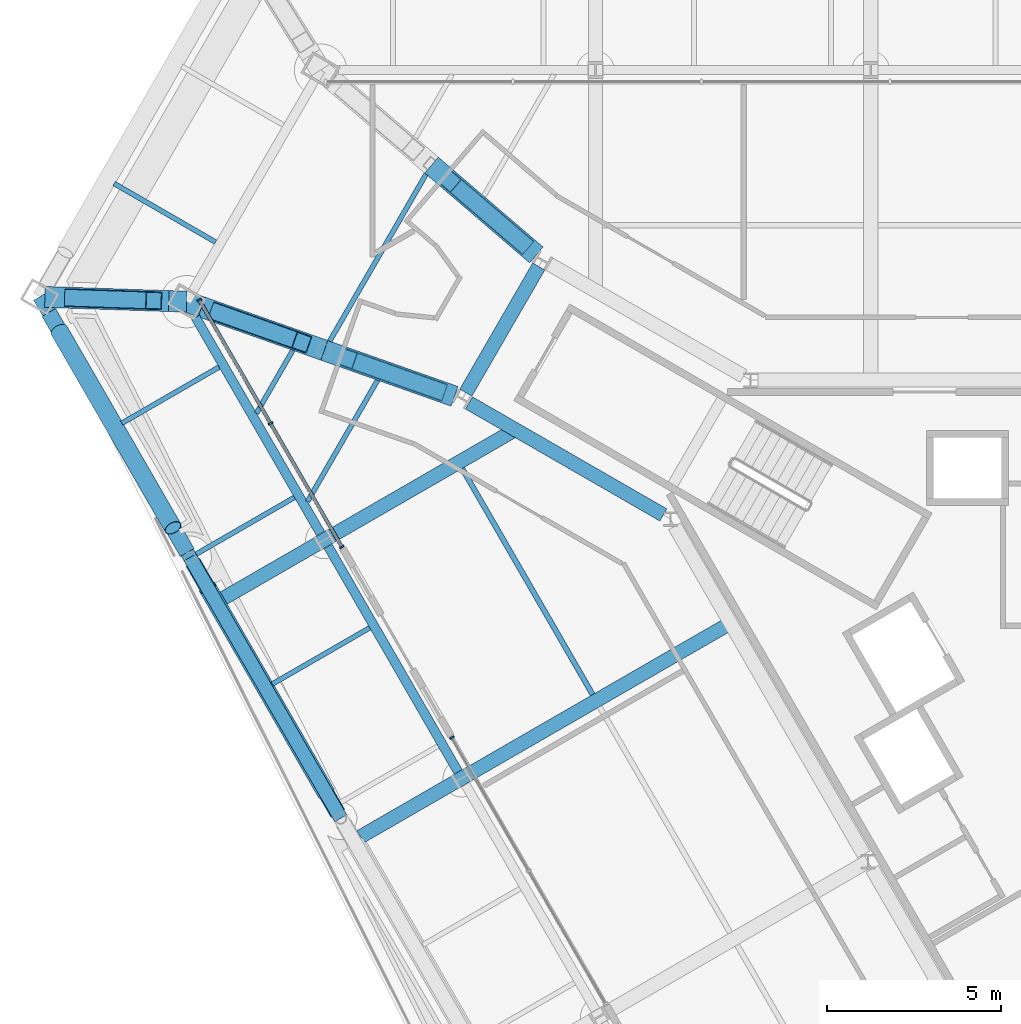
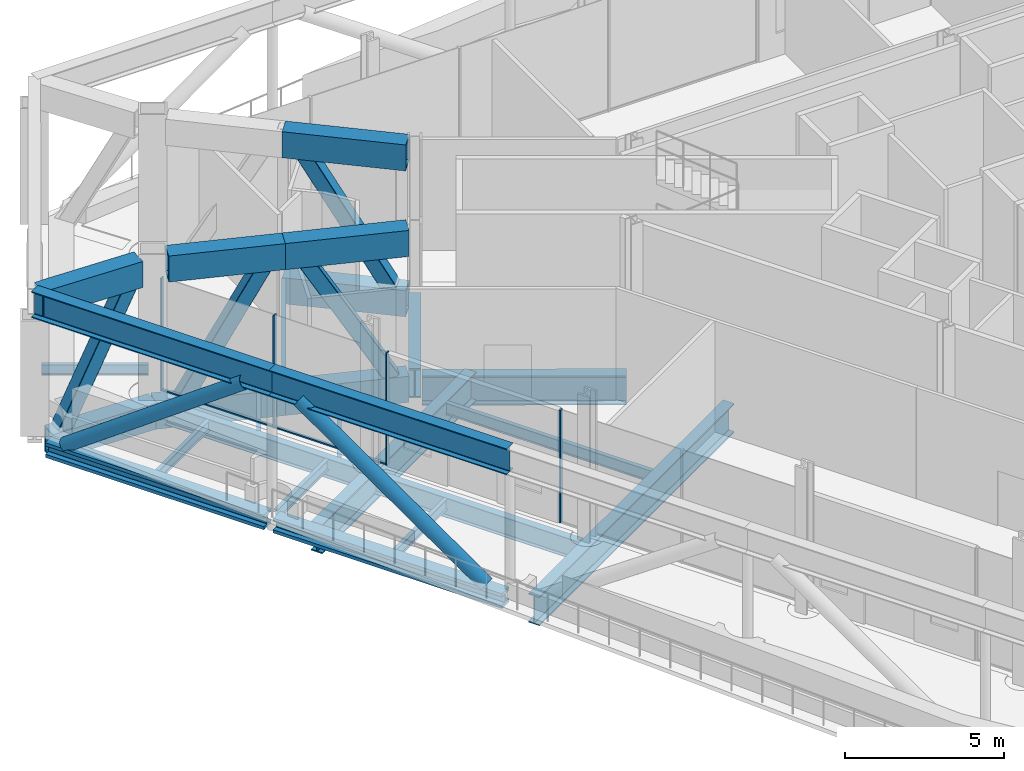
# One storey, part 10 of 26: 26 beams, 12 members, 2 elements without a shape of their own.
"""IFC4 building model written with IfcOpenShell, lengths in metres."""

from ifc_helpers import new_model, si_unit, direction, frame, origin, origin_2d, place, context, subcontext, project, spatial, rectangle, hollow_rectangle, hollow_circle, i_section, extrude, material, material_profile, profile_set, type_object, element, aggregate, save


model = new_model("IFC4")

# Units and contexts
model_context = context("Model", 3, precision=1e-05, world=origin(), true_north=direction((0.0, 1.0)))
body_context = subcontext(model_context, "Body", "Model", "MODEL_VIEW")
ifc_project = project(units=[si_unit("LENGTHUNIT", "METRE"), si_unit("AREAUNIT", "SQUARE_METRE"), si_unit("VOLUMEUNIT", "CUBIC_METRE"), si_unit("PLANEANGLEUNIT", "RADIAN"), si_unit("MASSUNIT", "GRAM", prefix="KILO")], contexts=[model_context])

# Site, building, storey
site_placement = place(None, origin())
site = spatial("IfcSite", under=ifc_project, at=site_placement, CompositionType="ELEMENT")
building_placement = place(site_placement, origin())
building = spatial("IfcBuilding", under=site, at=building_placement, Name="Verrane Prism Tower", CompositionType="ELEMENT")
storey_placement = place(building_placement, frame((0.0, 0.0, 87.199951171875)))
storey = spatial("IfcBuildingStorey", under=building, at=storey_placement, Name="L20", CompositionType="ELEMENT", Elevation=87.199951171875)

# Beams
ifc_material_1 = material(Name="Steel A992", Category="steel")
ifc_material_profile_1 = material_profile(ifc_material_1, i_section(OverallWidth=0.45458984375, OverallDepth=0.56884765625, WebThickness=0.077880859375, FlangeThickness=0.124755859375, FilletRadius=0.01513671875, at=origin_2d()), Name="W14x730")
ifc_profile_set_1 = profile_set([ifc_material_profile_1], Name="Steel A992")
beam_type_1 = type_object("IfcBeamType", Name="Belt truss chord W14x730", PredefinedType="BEAM", material=ifc_profile_set_1)
beam_1_placement = place(storey_placement, frame((-31.4501953125, 11.139892578125, -0.445556640625), z_axis=(0.499746404185, -0.866171767898, 0.0), x_axis=(0.866171767898, 0.499746404185, 0.0)))
element("IfcBeam", 1, at=beam_1_placement, inside=storey, type_object=beam_type_1, Name="Belt truss chord L20", PredefinedType="BEAM", context=body_context, shape_type="SweptSolid", body=[
    extrude(i_section(OverallWidth=0.45458984375, OverallDepth=0.56884765625, WebThickness=0.077880859375, FlangeThickness=0.124755859375, FilletRadius=0.01513671875, at=origin_2d()), origin(), (0.0, 0.0, 1.0), 7.94189453125),
])
beam_2_placement = place(storey_placement, frame((-27.318603515625, 3.979248046875, -0.445556640625), z_axis=(0.500106328585, -0.865964006244, 0.0), x_axis=(0.865964006244, 0.500106328585, 0.0)))
element("IfcBeam", 2, at=beam_2_placement, inside=storey, type_object=beam_type_1, Name="Belt truss chord L20", PredefinedType="BEAM", context=body_context, shape_type="SweptSolid", body=[
    extrude(i_section(OverallWidth=0.45458984375, OverallDepth=0.56884765625, WebThickness=0.077880859375, FlangeThickness=0.124755859375, FilletRadius=0.01513671875, at=origin_2d()), origin(), (0.0, 0.0, 1.0), 8.312744140625),
])
ifc_material_2 = material(Name="Steel A992", Category="steel")
ifc_material_profile_2 = material_profile(ifc_material_2, i_section(OverallWidth=0.4013671875, OverallDepth=1.000732421875, WebThickness=0.01904296875, FlangeThickness=0.0361328125, FilletRadius=0.030029296875, at=origin_2d()), Name="W40x249")
ifc_profile_set_2 = profile_set([ifc_material_profile_2], Name="Steel A992")
beam_type_2 = type_object("IfcBeamType", Name="Belt truss chord W40x249", PredefinedType="BEAM", material=ifc_profile_set_2)
beam_3_placement = place(storey_placement, frame((-31.7099609375, 11.590087890625, 4.939697265625), z_axis=(0.499762481073, -0.866162491979, 0.0), x_axis=(0.866162491979, 0.499762481073, 0.0)))
element("IfcBeam", 3, at=beam_3_placement, inside=storey, type_object=beam_type_2, Name="Belt truss chord L20", PredefinedType="BEAM", context=body_context, shape_type="SweptSolid", body=[
    extrude(i_section(OverallWidth=0.4013671875, OverallDepth=1.000732421875, WebThickness=0.01904296875, FlangeThickness=0.0361328125, FilletRadius=0.030029296875, at=origin_2d()), origin(), (0.0, 0.0, 1.0), 8.624267578125),
])
beam_4_placement = place(storey_placement, frame((-27.39990234375, 4.1201171875, 4.939697265625), z_axis=(0.500096766669, -0.865969528313, 0.0), x_axis=(0.865969528313, 0.500096766669, 0.0)))
element("IfcBeam", 4, at=beam_4_placement, inside=storey, type_object=beam_type_2, Name="Belt truss chord L20", PredefinedType="BEAM", context=body_context, shape_type="SweptSolid", body=[
    extrude(i_section(OverallWidth=0.4013671875, OverallDepth=1.000732421875, WebThickness=0.01904296875, FlangeThickness=0.0361328125, FilletRadius=0.030029296875, at=origin_2d()), origin(), (0.0, 0.0, 1.0), 8.637939453125),
])

# Members
ifc_material_3 = material(Name="Steel A500 Grade C", Category="steel")
ifc_material_profile_3 = material_profile(ifc_material_3, hollow_circle(Radius=0.25390625, WallThickness=0.0126953125, at=origin_2d()), Name="HSS20.000x0.500")
ifc_profile_set_3 = profile_set([ifc_material_profile_3], Name="Steel A500 Grade C")
member_type_1 = type_object("IfcMemberType", Name="Belt truss diagonal HSS20.000x0.500", PredefinedType="BRACE", material=ifc_profile_set_3)
member_1_placement = place(storey_placement, frame((-31.151123046875, 10.621337890625, -0.160888671875), z_axis=(0.405277647184, -0.70243475166, 0.585094392687), x_axis=(0.866171265767, 0.499747274489, 0.0)))
element("IfcMember", 5, at=member_1_placement, inside=storey, type_object=member_type_1, Name="Belt truss diagonal L20", PredefinedType="BRACE", context=body_context, shape_type="SweptSolid", body=[
    extrude(hollow_circle(Radius=0.25390625, WallThickness=0.0126953125, at=origin_2d()), origin(), (0.0, 0.0, 1.0), 8.0498046875),
])
member_2_placement = place(storey_placement, frame((-23.50341796875, -2.626708984375, -0.160888671875), z_axis=(-0.410981497335, 0.711574303838, 0.569873862329), x_axis=(-0.865944304384, -0.500140441981, 0.0)))
element("IfcMember", 6, at=member_2_placement, inside=storey, type_object=member_type_1, Name="Belt truss diagonal L20", PredefinedType="BRACE", context=body_context, shape_type="SweptSolid", body=[
    extrude(hollow_circle(Radius=0.25390625, WallThickness=0.0126953125, at=origin_2d()), origin(), (0.0, 0.0, 1.0), 8.264892578125),
])

# Beams
ifc_material_4 = material(Name="Steel A992", Category="steel")
ifc_material_profile_4 = material_profile(ifc_material_4, i_section(OverallWidth=0.140380859375, OverallDepth=0.40380859375, WebThickness=0.007080078125, FlangeThickness=0.01123046875, FilletRadius=0.01025390625, at=origin_2d()), Name="W16x31")
ifc_profile_set_4 = profile_set([ifc_material_profile_4], Name="Steel A992")
beam_type_3 = type_object("IfcBeamType", Name="Floor beam W16x31", PredefinedType="BEAM", material=ifc_profile_set_4)
beam_5_placement = place(storey_placement, frame((-25.041259765625, 0.49072265625, -0.36181640625), z_axis=(0.866024054344, 0.500002337291, 0.0), x_axis=(-0.500002337291, 0.866024054344, 0.0)))
element("IfcBeam", 7, at=beam_5_placement, inside=storey, type_object=beam_type_3, Name="Floor beam L20", PredefinedType="BEAM", context=body_context, shape_type="SweptSolid", body=[
    extrude(i_section(OverallWidth=0.140380859375, OverallDepth=0.40380859375, WebThickness=0.007080078125, FlangeThickness=0.01123046875, FilletRadius=0.01025390625, at=origin_2d()), origin(), (0.0, 0.0, 1.0), 3.2216796875),
])
beam_6_placement = place(storey_placement, frame((-27.222900390625, 4.21435546875, -0.36181640625), z_axis=(0.866024162539, 0.500002149894, 0.0), x_axis=(-0.500002149894, 0.866024162539, 0.0)))
element("IfcBeam", 8, at=beam_6_placement, inside=storey, type_object=beam_type_3, Name="Floor beam L20", PredefinedType="BEAM", context=body_context, shape_type="SweptSolid", body=[
    extrude(i_section(OverallWidth=0.140380859375, OverallDepth=0.40380859375, WebThickness=0.007080078125, FlangeThickness=0.01123046875, FilletRadius=0.01025390625, at=origin_2d()), origin(), (0.0, 0.0, 1.0), 3.2490234375),
])
beam_7_placement = place(storey_placement, frame((-29.356201171875, 7.9658203125, -0.36181640625), z_axis=(0.866021328928, 0.500007057792, 0.0), x_axis=(-0.500007057792, 0.866021328928, 0.0)))
element("IfcBeam", 9, at=beam_7_placement, inside=storey, type_object=beam_type_3, Name="Floor beam L20", PredefinedType="BEAM", context=body_context, shape_type="SweptSolid", body=[
    extrude(i_section(OverallWidth=0.140380859375, OverallDepth=0.40380859375, WebThickness=0.007080078125, FlangeThickness=0.01123046875, FilletRadius=0.01025390625, at=origin_2d()), origin(), (0.0, 0.0, 1.0), 3.2177734375),
])
beam_8_placement = place(storey_placement, frame((-24.0322265625, 5.720703125, -0.36181640625), z_axis=(0.499990884667, 0.866030666461, 0.0), x_axis=(-0.866030666461, 0.499990884667, 0.0)))
element("IfcBeam", 10, at=beam_8_placement, inside=storey, type_object=beam_type_3, Name="Floor beam L20", PredefinedType="BEAM", context=body_context, shape_type="SweptSolid", body=[
    extrude(i_section(OverallWidth=0.140380859375, OverallDepth=0.40380859375, WebThickness=0.007080078125, FlangeThickness=0.01123046875, FilletRadius=0.01025390625, at=origin_2d()), origin(), (0.0, 0.0, 1.0), 4.01513671875),
])
beam_9_placement = place(storey_placement, frame((-25.49658203125, 8.25244140625, -0.36181640625), z_axis=(0.500084280142, 0.865976739154, 0.0), x_axis=(-0.865976739154, 0.500084280142, 0.0)))
element("IfcBeam", 11, at=beam_9_placement, inside=storey, type_object=beam_type_3, Name="Floor beam L20", PredefinedType="BEAM", context=body_context, shape_type="SweptSolid", body=[
    extrude(i_section(OverallWidth=0.140380859375, OverallDepth=0.40380859375, WebThickness=0.007080078125, FlangeThickness=0.01123046875, FilletRadius=0.01025390625, at=origin_2d()), origin(), (0.0, 0.0, 1.0), 2.083251953125),
])
beam_10_placement = place(storey_placement, frame((-26.667236328125, 13.15673828125, -0.36181640625), z_axis=(-0.866047615473, 0.499961526254, 0.0), x_axis=(-0.499961526254, -0.866047615473, 0.0)))
element("IfcBeam", 12, at=beam_10_placement, inside=storey, type_object=beam_type_3, Name="Floor beam L20", PredefinedType="BEAM", context=body_context, shape_type="SweptSolid", body=[
    extrude(i_section(OverallWidth=0.140380859375, OverallDepth=0.40380859375, WebThickness=0.007080078125, FlangeThickness=0.01123046875, FilletRadius=0.01025390625, at=origin_2d()), origin(), (0.0, 0.0, 1.0), 3.359130859375),
])
beam_11_placement = place(storey_placement, frame((-23.396484375, 10.319091796875, -0.36181640625), z_axis=(0.499999210213, 0.866025859768, 0.0), x_axis=(-0.866025859768, 0.499999210213, 0.0)))
element("IfcBeam", 13, at=beam_11_placement, inside=storey, type_object=beam_type_3, Name="Floor beam L20", PredefinedType="BEAM", context=body_context, shape_type="SweptSolid", body=[
    extrude(i_section(OverallWidth=0.140380859375, OverallDepth=0.40380859375, WebThickness=0.007080078125, FlangeThickness=0.01123046875, FilletRadius=0.01025390625, at=origin_2d()), origin(), (0.0, 0.0, 1.0), 5.5234375),
])
ifc_material_5 = material(Name="Steel A992", Category="steel")
ifc_material_profile_5 = material_profile(ifc_material_5, i_section(OverallWidth=0.15234375, OverallDepth=0.449462890625, WebThickness=0.007568359375, FlangeThickness=0.0107421875, FilletRadius=0.01025390625, at=origin_2d()), Name="W18x35")
ifc_profile_set_5 = profile_set([ifc_material_profile_5], Name="Steel A992")
beam_type_4 = type_object("IfcBeamType", Name="Floor beam W18x35", PredefinedType="BEAM", material=ifc_profile_set_5)
beam_12_placement = place(storey_placement, frame((-15.86083984375, 0.18994140625, -0.384765625), z_axis=(-0.499988150718, 0.866032244863, 0.0), x_axis=(-0.866032244863, -0.499988150718, 0.0)))
element("IfcBeam", 14, at=beam_12_placement, inside=storey, type_object=beam_type_4, Name="Floor beam L20", PredefinedType="BEAM", context=body_context, shape_type="SweptSolid", body=[
    extrude(i_section(OverallWidth=0.15234375, OverallDepth=0.449462890625, WebThickness=0.007568359375, FlangeThickness=0.0107421875, FilletRadius=0.01025390625, at=origin_2d()), origin(), (0.0, 0.0, 1.0), 7.476806640625),
])

# Curtain wall, members
ifc_material_6 = material(Name="Aluminium framed insulated glazing", Category="aluminium")
curtain_wall_type = type_object("IfcCurtainWallType", Name="Curtain wall CW-C 4200 module", PredefinedType="NOTDEFINED", material=ifc_material_6)
curtain_wall_1_placement = place(storey_placement, origin())
curtain_wall_1 = element("IfcCurtainWall", 15, at=curtain_wall_1_placement, inside=storey, type_object=curtain_wall_type, Name="Refuge lounge glazing south-west face L20 1", PredefinedType="NOTDEFINED")
ifc_material_7 = material(Name="Aluminium alloy 6063-T6", Category="aluminium")
ifc_material_profile_6 = material_profile(ifc_material_7, rectangle(XDim=0.139892578125, YDim=0.050048828125, at=origin_2d()), Name="Mullion 50x140 aluminium")
ifc_profile_set_6 = profile_set([ifc_material_profile_6], Name="Aluminium alloy 6063-T6")
member_type_2 = type_object("IfcMemberType", Name="Mullion 50x140 aluminium", PredefinedType="MULLION", material=ifc_profile_set_6)
member_3_placement = place(storey_placement, frame((-27.137939453125, 11.502197265625, 0.0), z_axis=(0.0, 0.0, 1.0), x_axis=(0.866024267119, 0.500001968757, 0.0)))
member_3 = element("IfcMember", 16, at=member_3_placement, type_object=member_type_2, Name="CW20.4.1 mullion 1", PredefinedType="MULLION", context=body_context, shape_type="SweptSolid", body=[
    extrude(rectangle(XDim=0.139892578125, YDim=0.050048828125, at=origin_2d()), origin(), (0.0, 0.0, 1.0), 4.322509765625),
])
member_4_placement = place(storey_placement, frame((-25.093505859375, 7.961181640625, 0.0), z_axis=(0.0, 0.0, 1.0), x_axis=(0.866024267119, 0.500001968757, 0.0)))
member_4 = element("IfcMember", 17, at=member_4_placement, type_object=member_type_2, Name="CW20.4.1 mullion 2", PredefinedType="MULLION", context=body_context, shape_type="SweptSolid", body=[
    extrude(rectangle(XDim=0.139892578125, YDim=0.050048828125, at=origin_2d()), origin(), (0.0, 0.0, 1.0), 4.322509765625),
])
member_5_placement = place(storey_placement, frame((-23.04931640625, 4.42041015625, 0.0), z_axis=(0.0, 0.0, 1.0), x_axis=(0.866024267119, 0.500001968757, 0.0)))
member_5 = element("IfcMember", 18, at=member_5_placement, type_object=member_type_2, Name="CW20.4.1 mullion 3", PredefinedType="MULLION", context=body_context, shape_type="SweptSolid", body=[
    extrude(rectangle(XDim=0.139892578125, YDim=0.050048828125, at=origin_2d()), origin(), (0.0, 0.0, 1.0), 4.322509765625),
])

# Curtain wall, member
curtain_wall_2_placement = place(storey_placement, origin())
curtain_wall_2 = element("IfcCurtainWall", 19, at=curtain_wall_2_placement, inside=storey, type_object=curtain_wall_type, Name="Refuge lounge glazing south-west face L20 2", PredefinedType="NOTDEFINED")
member_6_placement = place(storey_placement, frame((-19.894287109375, -1.044189453125, 0.0), z_axis=(0.0, 0.0, 1.0), x_axis=(0.866026283839, 0.499998475697, 0.0)))
member_6 = element("IfcMember", 20, at=member_6_placement, type_object=member_type_2, Name="CW20.4.2 mullion 1", PredefinedType="MULLION", context=body_context, shape_type="SweptSolid", body=[
    extrude(rectangle(XDim=0.139892578125, YDim=0.050048828125, at=origin_2d()), origin(), (0.0, 0.0, 1.0), 4.322509765625),
])
aggregate(curtain_wall_2, [member_6])

# Beams
ifc_material_8 = material(Name="Steel A572 Grade 50", Category="steel")
ifc_material_profile_7 = material_profile(ifc_material_8, hollow_rectangle(XDim=0.60009765625, YDim=1.0, WallThickness=0.06005859375, at=origin_2d()), Name="BOX 1000x600x60")
ifc_profile_set_7 = profile_set([ifc_material_profile_7], Name="Steel A572 Grade 50")
beam_type_5 = type_object("IfcBeamType", Name="Outrigger truss chord BOX 1000x600x60", PredefinedType="BEAM", material=ifc_profile_set_7)
for number, where, z_axis, x_axis, name in (
    (21, (-20.47998046875, 15.364990234375, -0.659912109375), (0.759348064217, -0.650684652785, 0.0), (0.650684652785, 0.759348064217, 0.0), "Outrigger truss chord L20"),
    (22, (-20.47998046875, 15.364990234375, 4.93994140625), (0.759348064217, -0.650684652785, 0.0), (0.650684652785, 0.759348064217, 0.0), "Outrigger truss chord L20"),
):
    element("IfcBeam", number, at=place(storey_placement, frame(where, z_axis=z_axis, x_axis=x_axis)), inside=storey, type_object=beam_type_5, Name=name, PredefinedType="BEAM", context=body_context, shape_type="SweptSolid", body=[
        extrude(hollow_rectangle(XDim=0.60009765625, YDim=1.0, WallThickness=0.06005859375, at=origin_2d()), origin(), (0.0, 0.0, 1.0), 3.95654296875),
    ])
beam_13_placement = place(storey_placement, frame((-31.2001953125, 11.572998046875, -0.659912109375), z_axis=(0.999447538686, -0.033235785134, 0.0), x_axis=(0.033235785134, 0.999447538686, 0.0)))
element("IfcBeam", 23, at=beam_13_placement, inside=storey, type_object=beam_type_5, Name="Outrigger truss chord L20", PredefinedType="BEAM", context=body_context, shape_type="SweptSolid", body=[
    extrude(hollow_rectangle(XDim=0.60009765625, YDim=1.0, WallThickness=0.06005859375, at=origin_2d()), origin(), (0.0, 0.0, 1.0), 3.7021484375),
])
beam_14_placement = place(storey_placement, frame((-27.5, 11.449951171875, -0.659912109375), z_axis=(0.942921452656, -0.33301521605, 0.0), x_axis=(0.33301521605, 0.942921452656, 0.0)))
element("IfcBeam", 24, at=beam_14_placement, inside=storey, type_object=beam_type_5, Name="Outrigger truss chord L20", PredefinedType="BEAM", context=body_context, shape_type="SweptSolid", body=[
    extrude(hollow_rectangle(XDim=0.60009765625, YDim=1.0, WallThickness=0.06005859375, at=origin_2d()), origin(), (0.0, 0.0, 1.0), 4.18896484375),
])
beam_15_placement = place(storey_placement, frame((-23.550048828125, 10.054931640625, -0.659912109375), z_axis=(0.942933378787, -0.332981445682, 0.0), x_axis=(0.332981445682, 0.942933378787, 0.0)))
element("IfcBeam", 25, at=beam_15_placement, inside=storey, type_object=beam_type_5, Name="Outrigger truss chord L20", PredefinedType="BEAM", context=body_context, shape_type="SweptSolid", body=[
    extrude(hollow_rectangle(XDim=0.60009765625, YDim=1.0, WallThickness=0.06005859375, at=origin_2d()), origin(), (0.0, 0.0, 1.0), 3.957763671875),
])
beam_16_placement = place(storey_placement, frame((-31.56005859375, 11.5849609375, 4.93994140625), z_axis=(0.999448866464, -0.033195832932, 0.0), x_axis=(0.033195832932, 0.999448866464, 0.0)))
element("IfcBeam", 26, at=beam_16_placement, inside=storey, type_object=beam_type_5, Name="Outrigger truss chord L20", PredefinedType="BEAM", context=body_context, shape_type="SweptSolid", body=[
    extrude(hollow_rectangle(XDim=0.60009765625, YDim=1.0, WallThickness=0.06005859375, at=origin_2d()), origin(), (0.0, 0.0, 1.0), 3.55224609375),
])
beam_17_placement = place(storey_placement, frame((-27.068359375, 11.297607421875, 4.93994140625), z_axis=(0.942912999978, -0.333039148559, 0.0), x_axis=(0.333039148559, 0.942912999978, 0.0)))
element("IfcBeam", 27, at=beam_17_placement, inside=storey, type_object=beam_type_5, Name="Outrigger truss chord L20", PredefinedType="BEAM", context=body_context, shape_type="SweptSolid", body=[
    extrude(hollow_rectangle(XDim=0.60009765625, YDim=1.0, WallThickness=0.06005859375, at=origin_2d()), origin(), (0.0, 0.0, 1.0), 3.731201171875),
])
beam_18_placement = place(storey_placement, frame((-23.550048828125, 10.054931640625, 4.93994140625), z_axis=(0.942933378787, -0.332981445682, 0.0), x_axis=(0.332981445682, 0.942933378787, 0.0)))
element("IfcBeam", 28, at=beam_18_placement, inside=storey, type_object=beam_type_5, Name="Outrigger truss chord L20", PredefinedType="BEAM", context=body_context, shape_type="SweptSolid", body=[
    extrude(hollow_rectangle(XDim=0.60009765625, YDim=1.0, WallThickness=0.06005859375, at=origin_2d()), origin(), (0.0, 0.0, 1.0), 3.957763671875),
])

# Members
ifc_material_9 = material(Name="Steel A500 Grade C", Category="steel")
ifc_material_profile_8 = material_profile(ifc_material_9, hollow_rectangle(XDim=0.508056640625, YDim=0.508056640625, WallThickness=0.01904296875, InnerFilletRadius=0.009521484375, OuterFilletRadius=0.028564453125, at=origin_2d()), Name="HSS20x20x3/4")
ifc_profile_set_8 = profile_set([ifc_material_profile_8], Name="Steel A500 Grade C")
member_type_3 = type_object("IfcMemberType", Name="Outrigger truss diagonal HSS20x20x3/4", PredefinedType="BRACE", material=ifc_profile_set_8)
member_7_placement = place(storey_placement, frame((-17.873779296875, 13.131591796875, -0.219970703125), z_axis=(-0.379780350266, 0.325449230455, 0.865938614423), x_axis=(-0.650702868135, -0.759332455122, 0.0)))
element("IfcMember", 29, at=member_7_placement, inside=storey, type_object=member_type_3, Name="Outrigger truss diagonal L20", PredefinedType="BRACE", context=body_context, shape_type="SweptSolid", body=[
    extrude(hollow_rectangle(XDim=0.508056640625, YDim=0.508056640625, WallThickness=0.01904296875, InnerFilletRadius=0.009521484375, OuterFilletRadius=0.028564453125, at=origin_2d()), origin(), (0.0, 0.0, 1.0), 5.45068359375),
])
member_8_placement = place(storey_placement, frame((-30.769287109375, 11.55859375, -0.219970703125), z_axis=(0.442390836034, -0.014703071401, 0.896701827747), x_axis=(0.033217138423, 0.999448158593, 0.0)))
element("IfcMember", 30, at=member_8_placement, inside=storey, type_object=member_type_3, Name="Outrigger truss diagonal L20", PredefinedType="BRACE", context=body_context, shape_type="SweptSolid", body=[
    extrude(hollow_rectangle(XDim=0.508056640625, YDim=0.508056640625, WallThickness=0.01904296875, InnerFilletRadius=0.009521484375, OuterFilletRadius=0.028564453125, at=origin_2d()), origin(), (0.0, 0.0, 1.0), 5.263671875),
])
member_9_placement = place(storey_placement, frame((-26.593994140625, 11.130126953125, -0.219970703125), z_axis=(0.446793456558, -0.157828456211, 0.880605351782), x_axis=(0.333076539981, 0.942899792403, 0.0)))
element("IfcMember", 31, at=member_9_placement, inside=storey, type_object=member_type_3, Name="Outrigger truss diagonal L20", PredefinedType="BRACE", context=body_context, shape_type="SweptSolid", body=[
    extrude(hollow_rectangle(XDim=0.508056640625, YDim=0.508056640625, WallThickness=0.01904296875, InnerFilletRadius=0.009521484375, OuterFilletRadius=0.028564453125, at=origin_2d()), origin(), (0.0, 0.0, 1.0), 5.35986328125),
])
member_10_placement = place(storey_placement, frame((-20.3125, 8.91162109375, -0.219970703125), z_axis=(-0.471770651239, 0.166602128594, 0.865838427986), x_axis=(-0.332988672441, -0.942930826745, 0.0)))
element("IfcMember", 32, at=member_10_placement, inside=storey, type_object=member_type_3, Name="Outrigger truss diagonal L20", PredefinedType="BRACE", context=body_context, shape_type="SweptSolid", body=[
    extrude(hollow_rectangle(XDim=0.508056640625, YDim=0.508056640625, WallThickness=0.01904296875, InnerFilletRadius=0.009521484375, OuterFilletRadius=0.028564453125, at=origin_2d()), origin(), (0.0, 0.0, 1.0), 5.451416015625),
])

# Beams
ifc_material_10 = material(Name="Steel A992", Category="steel")
ifc_material_profile_9 = material_profile(ifc_material_10, i_section(OverallWidth=0.2666015625, OverallDepth=0.7568359375, WebThickness=0.013916015625, FlangeThickness=0.019287109375, FilletRadius=0.0166015625, at=origin_2d()), Name="W30x108")
ifc_profile_set_9 = profile_set([ifc_material_profile_9], Name="Steel A992")
beam_type_6 = type_object("IfcBeamType", Name="Spandrel beam W30x108", PredefinedType="SPANDREL", material=ifc_profile_set_9)
beam_19_placement = place(storey_placement, frame((-27.239990234375, 11.00048828125, -0.538330078125), z_axis=(0.50063155155, -0.865660470157, 0.0), x_axis=(0.865660470157, 0.50063155155, 0.0)))
element("IfcBeam", 33, at=beam_19_placement, inside=storey, type_object=beam_type_6, Name="Spandrel beam L20", PredefinedType="SPANDREL", context=body_context, shape_type="SweptSolid", body=[
    extrude(i_section(OverallWidth=0.2666015625, OverallDepth=0.7568359375, WebThickness=0.013916015625, FlangeThickness=0.019287109375, FilletRadius=0.0166015625, at=origin_2d()), origin(), (0.0, 0.0, 1.0), 7.158447265625),
])
beam_20_placement = place(storey_placement, frame((-23.444091796875, 4.436279296875, -0.538330078125), z_axis=(0.499679960224, -0.866210100005, 0.0), x_axis=(0.866210100005, 0.499679960224, 0.0)))
element("IfcBeam", 34, at=beam_20_placement, inside=storey, type_object=beam_type_6, Name="Spandrel beam L20", PredefinedType="SPANDREL", context=body_context, shape_type="SweptSolid", body=[
    extrude(i_section(OverallWidth=0.2666015625, OverallDepth=0.7568359375, WebThickness=0.013916015625, FlangeThickness=0.019287109375, FilletRadius=0.0166015625, at=origin_2d()), origin(), (0.0, 0.0, 1.0), 7.4609375),
])
ifc_material_11 = material(Name="Steel A992", Category="steel")
ifc_material_profile_10 = material_profile(ifc_material_11, i_section(OverallWidth=0.40380859375, OverallDepth=1.11767578125, WebThickness=0.026123046875, FlangeThickness=0.044921875, FilletRadius=0.02001953125, at=origin_2d()), Name="W44x335")
ifc_profile_set_10 = profile_set([ifc_material_profile_10], Name="Steel A992")
beam_type_7 = type_object("IfcBeamType", Name="Transfer girder W44x335", PredefinedType="BEAM", material=ifc_profile_set_10)
beam_21_placement = place(storey_placement, frame((-17.40478515625, 12.45849609375, -0.808837890625), z_axis=(-0.500349643494, -0.865823442888, 0.0), x_axis=(0.865823442888, -0.500349643494, 0.0)))
element("IfcBeam", 35, at=beam_21_placement, inside=storey, type_object=beam_type_7, Name="Transfer girder L20", PredefinedType="BEAM", context=body_context, shape_type="SweptSolid", body=[
    extrude(i_section(OverallWidth=0.40380859375, OverallDepth=1.11767578125, WebThickness=0.026123046875, FlangeThickness=0.044921875, FilletRadius=0.02001953125, at=origin_2d()), origin(), (0.0, 0.0, 1.0), 4.177734375),
])
beam_22_placement = place(storey_placement, frame((-19.403076171875, 8.54638671875, -0.808837890625), z_axis=(0.86646365882, -0.499240150574, 0.0), x_axis=(0.499240150574, 0.86646365882, 0.0)))
element("IfcBeam", 36, at=beam_22_placement, inside=storey, type_object=beam_type_7, Name="Transfer girder L20", PredefinedType="BEAM", context=body_context, shape_type="SweptSolid", body=[
    extrude(i_section(OverallWidth=0.40380859375, OverallDepth=1.11767578125, WebThickness=0.026123046875, FlangeThickness=0.044921875, FilletRadius=0.02001953125, at=origin_2d()), origin(), (0.0, 0.0, 1.0), 6.42822265625),
])
beam_23_placement = place(storey_placement, frame((-26.4580078125, 2.941162109375, -0.71875), z_axis=(0.866036909293, 0.499980071345, 0.0), x_axis=(-0.499980071345, 0.866036909293, 0.0)))
element("IfcBeam", 37, at=beam_23_placement, inside=storey, type_object=beam_type_7, Name="Transfer girder L20", PredefinedType="BEAM", context=body_context, shape_type="SweptSolid", body=[
    extrude(i_section(OverallWidth=0.40380859375, OverallDepth=1.11767578125, WebThickness=0.026123046875, FlangeThickness=0.044921875, FilletRadius=0.02001953125, at=origin_2d()), origin(), (0.0, 0.0, 1.0), 9.68017578125),
])
beam_24_placement = place(storey_placement, frame((-22.515380859375, -3.887451171875, -0.71875), z_axis=(0.866026229868, 0.499998569178, 0.0), x_axis=(-0.499998569178, 0.866026229868, 0.0)))
element("IfcBeam", 38, at=beam_24_placement, inside=storey, type_object=beam_type_7, Name="Transfer girder L20", PredefinedType="BEAM", context=body_context, shape_type="SweptSolid", body=[
    extrude(i_section(OverallWidth=0.40380859375, OverallDepth=1.11767578125, WebThickness=0.026123046875, FlangeThickness=0.044921875, FilletRadius=0.02001953125, at=origin_2d()), origin(), (0.0, 0.0, 1.0), 12.24609375),
])

# Member
ifc_material_12 = material(Name="Aluminium alloy 6063-T6", Category="aluminium")
ifc_material_profile_11 = material_profile(ifc_material_12, rectangle(XDim=0.10009765625, YDim=0.050048828125, at=origin_2d()), Name="Transom 50x100 aluminium")
ifc_profile_set_11 = profile_set([ifc_material_profile_11], Name="Aluminium alloy 6063-T6")
member_type_4 = type_object("IfcMemberType", Name="Transom 50x100 aluminium", PredefinedType="USERDEFINED", material=ifc_profile_set_11)
member_11_placement = place(storey_placement, frame((-27.12548828125, 11.48046875, 0.025146484375), z_axis=(0.500039898246, -0.866002367296, 0.0), x_axis=(0.866002367296, 0.500039898246, 0.0)))
member_11 = element("IfcMember", 39, at=member_11_placement, type_object=member_type_4, Name="CW20.4.1 transom 1", ObjectType="TRANSOM", PredefinedType="USERDEFINED", context=body_context, shape_type="SweptSolid", body=[
    extrude(rectangle(XDim=0.10009765625, YDim=0.050048828125, at=origin_2d()), origin(), (0.0, 0.0, 1.0), 4.038818359375),
])

member_12_placement = place(storey_placement, frame((-25.0810546875, 7.939697265625, 0.025146484375), z_axis=(0.499968386383, -0.866043655145, 0.0), x_axis=(0.866043655145, 0.499968386383, 0.0)))
member_12 = element("IfcMember", 40, at=member_12_placement, type_object=member_type_4, Name="CW20.4.1 transom 2", ObjectType="TRANSOM", PredefinedType="USERDEFINED", context=body_context, shape_type="SweptSolid", body=[
    extrude(rectangle(XDim=0.10009765625, YDim=0.050048828125, at=origin_2d()), origin(), (0.0, 0.0, 1.0), 4.038818359375),
])

aggregate(curtain_wall_1, [member_3, member_4, member_5, member_11, member_12])

save(model, "model.ifc")
